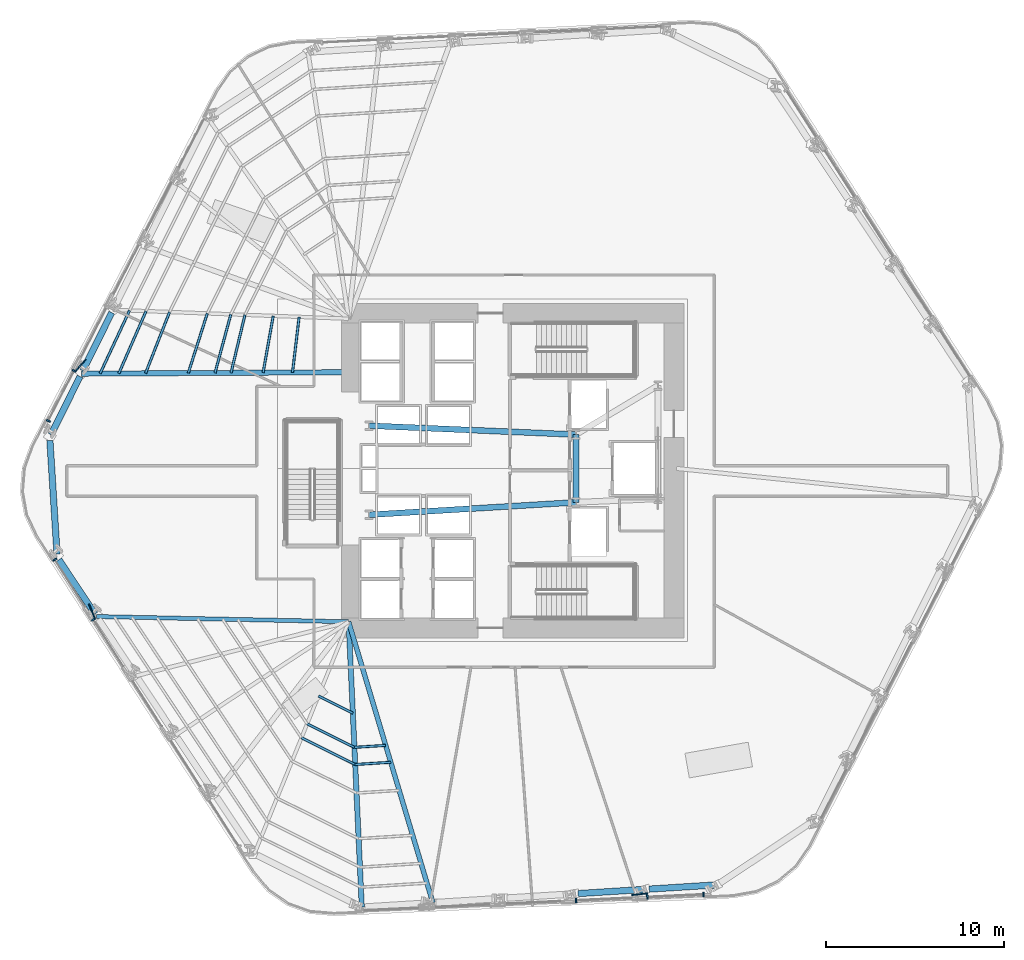
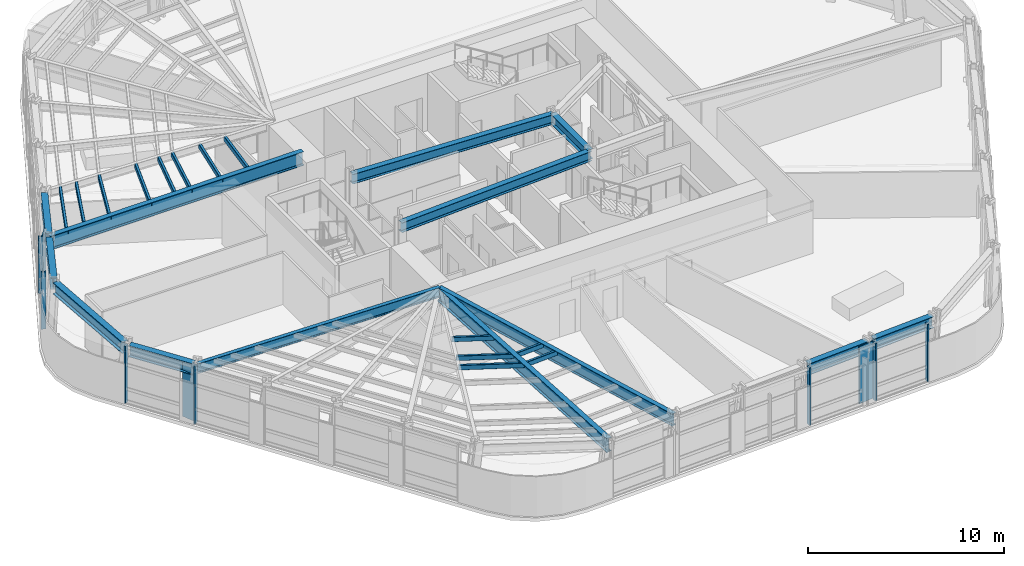
# One storey, part 3 of 15: 23 members, 13 beams, 3 elements without a shape of their own.
"""IFC4 building model written with IfcOpenShell, lengths in metres."""

from ifc_helpers import new_model, si_unit, direction, frame, origin, origin_2d, place, context, subcontext, project, spatial, rectangle, hollow_rectangle, i_section, extrude, material, layer, layer_set, material_profile, profile_set, type_object, element, aggregate, save


model = new_model("IFC4")

# Units and contexts
model_context = context("Model", 3, precision=1e-05, world=origin(), true_north=direction((0.0, 1.0)))
body_context = subcontext(model_context, "Body", "Model", "MODEL_VIEW")
ifc_project = project(units=[si_unit("LENGTHUNIT", "METRE"), si_unit("AREAUNIT", "SQUARE_METRE"), si_unit("VOLUMEUNIT", "CUBIC_METRE"), si_unit("PLANEANGLEUNIT", "RADIAN"), si_unit("MASSUNIT", "GRAM", prefix="KILO")], contexts=[model_context])

# Site, building, storey
site_placement = place(None, origin())
site = spatial("IfcSite", under=ifc_project, at=site_placement, CompositionType="ELEMENT")
building_placement = place(site_placement, origin())
building = spatial("IfcBuilding", under=site, at=building_placement, Name="Valkerne Bourse Tower", CompositionType="ELEMENT")
storey_placement = place(building_placement, frame((0.0, 0.0, 35.39990234375)))
storey = spatial("IfcBuildingStorey", under=building, at=storey_placement, Name="L08", CompositionType="ELEMENT", Elevation=35.39990234375)

# Beams
ifc_material_1 = material(Name="Steel ASTM A992", Category="steel")
ifc_material_profile_1 = material_profile(ifc_material_1, i_section(OverallWidth=0.3251953125, OverallDepth=0.612060546875, WebThickness=0.0126953125, FlangeThickness=0.01904296875, FilletRadius=0.020263671875, at=origin_2d()), Name="W24X104")
ifc_profile_set_1 = profile_set([ifc_material_profile_1], Name="Steel ASTM A992")
beam_type_1 = type_object("IfcBeamType", Name="BM-W24X104", PredefinedType="BEAM", material=ifc_profile_set_1)
beam_1_placement = place(storey_placement, frame((50.35009765625, 25.10009765625, 3.27392578125), z_axis=(0.0, 1.0, 0.0), x_axis=(-1.0, 0.0, 0.0)))
element("IfcBeam", 1, at=beam_1_placement, inside=storey, type_object=beam_type_1, Name="L08 Core Frame Girder CG-CE", PredefinedType="BEAM", context=body_context, shape_type="SweptSolid", body=[
    extrude(i_section(OverallWidth=0.3251953125, OverallDepth=0.612060546875, WebThickness=0.0126953125, FlangeThickness=0.01904296875, FilletRadius=0.020263671875, at=origin_2d()), origin(), (0.0, 0.0, 1.0), 3.7998046875),
])
beam_2_placement = place(storey_placement, frame((38.75, 24.39990234375, 3.27392578125), z_axis=(0.998183228389, 0.060251494276, 0.0), x_axis=(-0.060251494276, 0.998183228389, 0.0)))
element("IfcBeam", 2, at=beam_2_placement, inside=storey, type_object=beam_type_1, Name="L08 Core Frame Girder CG-SW", PredefinedType="BEAM", context=body_context, shape_type="SweptSolid", body=[
    extrude(i_section(OverallWidth=0.3251953125, OverallDepth=0.612060546875, WebThickness=0.0126953125, FlangeThickness=0.01904296875, FilletRadius=0.020263671875, at=origin_2d()), origin(), (0.0, 0.0, 1.0), 11.62109375),
])
beam_3_placement = place(storey_placement, frame((38.75, 29.39990234375, 3.27392578125), z_axis=(0.999072354402, -0.043063101019, 0.0), x_axis=(0.043063101019, 0.999072354402, 0.0)))
element("IfcBeam", 3, at=beam_3_placement, inside=storey, type_object=beam_type_1, Name="L08 Core Frame Girder CG-NW", PredefinedType="BEAM", context=body_context, shape_type="SweptSolid", body=[
    extrude(i_section(OverallWidth=0.3251953125, OverallDepth=0.612060546875, WebThickness=0.0126953125, FlangeThickness=0.01904296875, FilletRadius=0.020263671875, at=origin_2d()), origin(), (0.0, 0.0, 1.0), 11.61083984375),
])
ifc_material_profile_2 = material_profile(ifc_material_1, i_section(OverallWidth=0.228271484375, OverallDepth=0.607177734375, WebThickness=0.01123046875, FlangeThickness=0.017333984375, FilletRadius=0.017822265625, at=origin_2d()), Name="W24X76")
ifc_profile_set_2 = profile_set([ifc_material_profile_2], Name="Steel ASTM A992")
beam_type_2 = type_object("IfcBeamType", Name="BM-W24X76", PredefinedType="JOIST", material=ifc_profile_set_2)
beam_4_placement = place(storey_placement, frame((23.466064453125, 18.693359375, 3.276611328125), z_axis=(0.999784530182, -0.020757967376, 0.0), x_axis=(0.020757967376, 0.999784530182, 0.0)))
element("IfcBeam", 4, at=beam_4_placement, inside=storey, type_object=beam_type_2, Name="L08 Radial Composite Floor Beam 19", PredefinedType="JOIST", context=body_context, shape_type="SweptSolid", body=[
    extrude(i_section(OverallWidth=0.228271484375, OverallDepth=0.607177734375, WebThickness=0.01123046875, FlangeThickness=0.017333984375, FilletRadius=0.017822265625, at=origin_2d()), origin(), (0.0, 0.0, 1.0), 14.136962890625),
])
ifc_material_profile_3 = material_profile(ifc_material_1, i_section(OverallWidth=0.358154296875, OverallDepth=0.7060546875, WebThickness=0.018310546875, FlangeThickness=0.0302734375, FilletRadius=0.02294921875, at=origin_2d()), Name="W27X178")
ifc_profile_set_3 = profile_set([ifc_material_profile_3], Name="Steel ASTM A992")
beam_type_3 = type_object("IfcBeamType", Name="BM-W27X178", PredefinedType="SPANDREL", material=ifc_profile_set_3)
for number, where, z_axis, x_axis, name in (
    (5, (24.31005859375, 35.74365234375, 3.22705078125), (-0.444620658379, -0.895718968284, 0.0), (0.895718968284, -0.444620658379, 0.0), "L08 Hexagonal Spandrel Ring Beam 15"),
    (6, (22.533203125, 32.164306640625, 3.22705078125), (-0.444620658379, -0.895718968284, 0.0), (0.895718968284, -0.444620658379, 0.0), "L08 Hexagonal Spandrel Ring Beam 16"),
):
    element("IfcBeam", number, at=place(storey_placement, frame(where, z_axis=z_axis, x_axis=x_axis)), inside=storey, type_object=beam_type_3, Name=name, PredefinedType="SPANDREL", context=body_context, shape_type="SweptSolid", body=[
        extrude(i_section(OverallWidth=0.358154296875, OverallDepth=0.7060546875, WebThickness=0.018310546875, FlangeThickness=0.0302734375, FilletRadius=0.02294921875, at=origin_2d()), origin(), (0.0, 0.0, 1.0), 3.656005859375),
    ])
beam_5_placement = place(storey_placement, frame((20.843017578125, 28.567626953125, 3.22705078125), z_axis=(0.062747037503, -0.998029463135, 0.0), x_axis=(0.998029463135, 0.062747037503, 0.0)))
element("IfcBeam", 7, at=beam_5_placement, inside=storey, type_object=beam_type_3, Name="L08 Hexagonal Spandrel Ring Beam 17", PredefinedType="SPANDREL", context=body_context, shape_type="SweptSolid", body=[
    extrude(i_section(OverallWidth=0.358154296875, OverallDepth=0.7060546875, WebThickness=0.018310546875, FlangeThickness=0.0302734375, FilletRadius=0.02294921875, at=origin_2d()), origin(), (0.0, 0.0, 1.0), 6.388916015625),
])
beam_6_placement = place(storey_placement, frame((21.348876953125, 21.880126953125, 3.22705078125), z_axis=(0.553343301386, -0.832953294496, 0.0), x_axis=(0.832953294496, 0.553343301386, 0.0)))
element("IfcBeam", 8, at=beam_6_placement, inside=storey, type_object=beam_type_3, Name="L08 Hexagonal Spandrel Ring Beam 18", PredefinedType="SPANDREL", context=body_context, shape_type="SweptSolid", body=[
    extrude(i_section(OverallWidth=0.358154296875, OverallDepth=0.7060546875, WebThickness=0.018310546875, FlangeThickness=0.0302734375, FilletRadius=0.02294921875, at=origin_2d()), origin(), (0.0, 0.0, 1.0), 3.65576171875),
])
for number, where, z_axis, x_axis, name in (
    (9, (50.472900390625, 3.1513671875, 3.22705078125), (0.998027815101, 0.062773244978, 0.0), (-0.062773244978, 0.998027815101, 0.0), "L08 Hexagonal Spandrel Ring Beam 27"),
    (10, (54.4609375, 3.40234375, 3.22705078125), (0.998027815101, 0.062773244978, 0.0), (-0.062773244978, 0.998027815101, 0.0), "L08 Hexagonal Spandrel Ring Beam 28"),
):
    element("IfcBeam", number, at=place(storey_placement, frame(where, z_axis=z_axis, x_axis=x_axis)), inside=storey, type_object=beam_type_3, Name=name, PredefinedType="SPANDREL", context=body_context, shape_type="SweptSolid", body=[
        extrude(i_section(OverallWidth=0.358154296875, OverallDepth=0.7060546875, WebThickness=0.018310546875, FlangeThickness=0.0302734375, FilletRadius=0.02294921875, at=origin_2d()), origin(), (0.0, 0.0, 1.0), 3.656005859375),
    ])
ifc_material_profile_4 = material_profile(ifc_material_1, i_section(OverallWidth=0.26806640625, OverallDepth=0.76953125, WebThickness=0.015625, FlangeThickness=0.025390625, FilletRadius=0.025390625, at=origin_2d()), Name="W30X132")
ifc_profile_set_4 = profile_set([ifc_material_profile_4], Name="Steel ASTM A992")
beam_type_4 = type_object("IfcBeamType", Name="BM-W30X132", PredefinedType="BEAM", material=ifc_profile_set_4)
beam_7_placement = place(storey_placement, frame((42.326904296875, 2.638916015625, 3.1953125), z_axis=(-0.287264850089, 0.957851191941, 0.0), x_axis=(-0.957851191941, -0.287264850089, 0.0)))
element("IfcBeam", 11, at=beam_7_placement, inside=storey, type_object=beam_type_4, Name="L08 Radial Composite Floor Beam 25", PredefinedType="BEAM", context=body_context, shape_type="SweptSolid", body=[
    extrude(i_section(OverallWidth=0.26806640625, OverallDepth=0.76953125, WebThickness=0.015625, FlangeThickness=0.025390625, FilletRadius=0.025390625, at=origin_2d()), origin(), (0.0, 0.0, 1.0), 16.45458984375),
])
ifc_material_profile_5 = material_profile(ifc_material_1, i_section(OverallWidth=0.2919921875, OverallDepth=0.8583984375, WebThickness=0.01708984375, FlangeThickness=0.031005859375, FilletRadius=0.025390625, at=origin_2d()), Name="W33X169")
ifc_profile_set_5 = profile_set([ifc_material_profile_5], Name="Steel ASTM A992")
beam_type_5 = type_object("IfcBeamType", Name="BM-W33X169", PredefinedType="BEAM", material=ifc_profile_set_5)
beam_8_placement = place(storey_placement, frame((22.60888671875, 32.316650390625, 3.15087890625), z_axis=(0.999984580319, 0.005553298513, 0.0), x_axis=(-0.005553298513, 0.999984580319, 0.0)))
element("IfcBeam", 12, at=beam_8_placement, inside=storey, type_object=beam_type_5, Name="L08 Radial Composite Floor Beam 16", PredefinedType="BEAM", context=body_context, shape_type="SweptSolid", body=[
    extrude(i_section(OverallWidth=0.2919921875, OverallDepth=0.8583984375, WebThickness=0.01708984375, FlangeThickness=0.031005859375, FilletRadius=0.025390625, at=origin_2d()), origin(), (0.0, 0.0, 1.0), 14.991455078125),
])
beam_9_placement = place(storey_placement, frame((38.338623046875, 2.387939453125, 3.15087890625), z_axis=(-0.046074368947, 0.998938012354, 0.0), x_axis=(-0.998938012354, -0.046074368947, 0.0)))
element("IfcBeam", 13, at=beam_9_placement, inside=storey, type_object=beam_type_5, Name="L08 Radial Composite Floor Beam 24", PredefinedType="BEAM", context=body_context, shape_type="SweptSolid", body=[
    extrude(i_section(OverallWidth=0.2919921875, OverallDepth=0.8583984375, WebThickness=0.01708984375, FlangeThickness=0.031005859375, FilletRadius=0.025390625, at=origin_2d()), origin(), (0.0, 0.0, 1.0), 16.029052734375),
])

# Curtain wall, members
ifc_material_2 = material(Name="Aluminium AA 6063-T6", Category="aluminium")
ifc_layer = layer(ifc_material_2, 0.22509765625)
ifc_layer_set = layer_set([ifc_layer], Name="Aluminium AA 6063-T6")
curtain_wall_type = type_object("IfcCurtainWallType", Name="CW-01", PredefinedType="NOTDEFINED", material=ifc_layer_set)
curtain_wall_1_placement = place(storey_placement, origin())
curtain_wall_1 = element("IfcCurtainWall", 14, at=curtain_wall_1_placement, inside=storey, type_object=curtain_wall_type, Name="L08 Hexagonal Stick Curtain Wall Face 3", PredefinedType="NOTDEFINED")
ifc_material_profile_6 = material_profile(ifc_material_2, rectangle(XDim=0.090087890625, YDim=0.239990234375, at=origin_2d()), Name="CWM-90X240")
ifc_profile_set_6 = profile_set([ifc_material_profile_6], Name="Aluminium AA 6063-T6")
member_type_1 = type_object("IfcMemberType", Name="CW-MUL-240X90", PredefinedType="MULLION", material=ifc_profile_set_6)
member_1_placement = place(storey_placement, frame((22.20068359375, 32.478759765625, 0.0), z_axis=(0.0, 0.0, 1.0), x_axis=(-0.458638457578, -0.888622960108, 0.0)))
member_1 = element("IfcMember", 15, at=member_1_placement, type_object=member_type_1, Name="CW-L08-F3 Jamb Mullion 04A", PredefinedType="MULLION", context=body_context, shape_type="SweptSolid", body=[
    extrude(rectangle(XDim=0.090087890625, YDim=0.239990234375, at=origin_2d()), origin(), (0.0, 0.0, 1.0), 3.580078125),
])
member_2_placement = place(storey_placement, frame((20.753173828125, 29.67431640625, 0.0), z_axis=(0.0, 0.0, 1.0), x_axis=(-0.458638457578, -0.888622960108, 0.0)))
member_2 = element("IfcMember", 16, at=member_2_placement, type_object=member_type_1, Name="CW-L08-F3 Jamb Mullion 04B", PredefinedType="MULLION", context=body_context, shape_type="SweptSolid", body=[
    extrude(rectangle(XDim=0.090087890625, YDim=0.239990234375, at=origin_2d()), origin(), (0.0, 0.0, 1.0), 3.580078125),
])
aggregate(curtain_wall_1, [member_1, member_2])

curtain_wall_2_placement = place(storey_placement, origin())
curtain_wall_2 = element("IfcCurtainWall", 17, at=curtain_wall_2_placement, inside=storey, type_object=curtain_wall_type, Name="L08 Hexagonal Stick Curtain Wall Face 4", PredefinedType="NOTDEFINED")
member_3_placement = place(storey_placement, frame((21.120361328125, 21.886474609375, 0.0), z_axis=(0.0, 0.0, 1.0), x_axis=(0.540237656625, -0.841512492102, 0.0)))
member_3 = element("IfcMember", 18, at=member_3_placement, type_object=member_type_1, Name="CW-L08-F4 Jamb Mullion 00A", PredefinedType="MULLION", context=body_context, shape_type="SweptSolid", body=[
    extrude(rectangle(XDim=0.090087890625, YDim=0.239990234375, at=origin_2d()), origin(), (0.0, 0.0, 1.0), 3.580078125),
])
member_4_placement = place(storey_placement, frame((23.279296875, 18.523681640625, 0.0), z_axis=(0.0, 0.0, 1.0), x_axis=(0.540249033561, -0.841505188181, 0.0)))
member_4 = element("IfcMember", 19, at=member_4_placement, type_object=member_type_1, Name="CW-L08-F4 Jamb Mullion 01A", PredefinedType="MULLION", context=body_context, shape_type="SweptSolid", body=[
    extrude(rectangle(XDim=0.090087890625, YDim=0.239990234375, at=origin_2d()), origin(), (0.0, 0.0, 1.0), 3.580078125),
])
aggregate(curtain_wall_2, [member_3, member_4])

curtain_wall_3_placement = place(storey_placement, origin())
curtain_wall_3 = element("IfcCurtainWall", 20, at=curtain_wall_3_placement, inside=storey, type_object=curtain_wall_type, Name="L08 Hexagonal Stick Curtain Wall Face 5", PredefinedType="NOTDEFINED")
member_5_placement = place(storey_placement, frame((50.36328125, 2.768798828125, 0.0), z_axis=(0.0, 0.0, 1.0), x_axis=(0.998890279552, 0.047097870623, 0.0)))
member_5 = element("IfcMember", 21, at=member_5_placement, type_object=member_type_1, Name="CW-L08-F5 Jamb Mullion 03A", PredefinedType="MULLION", context=body_context, shape_type="SweptSolid", body=[
    extrude(rectangle(XDim=0.090087890625, YDim=0.239990234375, at=origin_2d()), origin(), (0.0, 0.0, 1.0), 3.580078125),
])
member_6_placement = place(storey_placement, frame((54.35498046875, 2.95703125, 0.0), z_axis=(0.0, 0.0, 1.0), x_axis=(0.998889157472, 0.047121662581, 0.0)))
member_6 = element("IfcMember", 22, at=member_6_placement, type_object=member_type_1, Name="CW-L08-F5 Jamb Mullion 04A", PredefinedType="MULLION", context=body_context, shape_type="SweptSolid", body=[
    extrude(rectangle(XDim=0.090087890625, YDim=0.239990234375, at=origin_2d()), origin(), (0.0, 0.0, 1.0), 3.580078125),
])
member_7_placement = place(storey_placement, frame((57.507568359375, 3.105712890625, 0.0), z_axis=(0.0, 0.0, 1.0), x_axis=(0.998889157472, 0.047121662581, 0.0)))
member_7 = element("IfcMember", 23, at=member_7_placement, type_object=member_type_1, Name="CW-L08-F5 Jamb Mullion 04B", PredefinedType="MULLION", context=body_context, shape_type="SweptSolid", body=[
    extrude(rectangle(XDim=0.090087890625, YDim=0.239990234375, at=origin_2d()), origin(), (0.0, 0.0, 1.0), 3.580078125),
])
aggregate(curtain_wall_3, [member_5, member_6, member_7])

# Members
ifc_material_3 = material(Name="Bronze Anodised Aluminium AA 6063-T6", Category="aluminium")
ifc_material_profile_7 = material_profile(ifc_material_3, rectangle(XDim=0.070068359375, YDim=0.89990234375, at=origin_2d()), Name="FIN-70X900")
ifc_profile_set_7 = profile_set([ifc_material_profile_7], Name="Bronze Anodised Aluminium AA 6063-T6")
member_type_2 = type_object("IfcMemberType", Name="FIN-SOLAR-900", PredefinedType="USERDEFINED", material=ifc_profile_set_7)
for number, where, z_axis, x_axis, name in (
    (24, (22.55322265625, 32.769287109375, 0.004150390625), (0.0, 0.0, 1.0), (-0.756959307704, 0.653462016097, 0.0), "L08 Bronze Anodised Solar Fin F3-04"),
    (25, (23.203857421875, 18.974365234375, 0.004150390625), (0.0, 0.0, 1.0), (-0.922204328932, -0.386702955379, 0.0), "L08 Bronze Anodised Solar Fin F4-01"),
    (26, (53.927001953125, 3.116943359375, 0.004150390625), (0.0, 0.0, 1.0), (0.108930894367, -0.994049324859, 0.0), "L08 Bronze Anodised Solar Fin F5-04"),
):
    element("IfcMember", number, at=place(storey_placement, frame(where, z_axis=z_axis, x_axis=x_axis)), inside=storey, type_object=member_type_2, Name=name, ObjectType="SOLAR_FIN", PredefinedType="USERDEFINED", context=body_context, shape_type="SweptSolid", body=[
        extrude(rectangle(XDim=0.070068359375, YDim=0.89990234375, at=origin_2d()), origin(), (0.0, 0.0, 1.0), 3.572021484375),
    ])
ifc_material_4 = material(Name="Steel ASTM A500 Grade C", Category="steel")
ifc_material_profile_8 = material_profile(ifc_material_4, hollow_rectangle(XDim=0.14990234375, YDim=0.300048828125, WallThickness=0.012451171875, OuterFilletRadius=0.02490234375, at=origin_2d()), Name="HSS300X150X12.5")
ifc_profile_set_8 = profile_set([ifc_material_profile_8], Name="Steel ASTM A500 Grade C")
member_type_3 = type_object("IfcMemberType", Name="MBR-HSS300X150X12.5", PredefinedType="PURLIN", material=ifc_profile_set_8)
member_8_placement = place(storey_placement, frame((33.371337890625, 35.55859375, 3.420166015625), z_axis=(-0.175730574027, -0.984438299413, 0.0), x_axis=(0.984438299413, -0.175730574027, 0.0)))
element("IfcMember", 27, at=member_8_placement, inside=storey, type_object=member_type_3, Name="L08 Secondary Composite Floor Purlin I-15", PredefinedType="PURLIN", context=body_context, shape_type="SweptSolid", body=[
    extrude(hollow_rectangle(XDim=0.14990234375, YDim=0.300048828125, WallThickness=0.012451171875, OuterFilletRadius=0.02490234375, at=origin_2d()), origin(), (0.0, 0.0, 1.0), 3.235595703125),
])
member_9_placement = place(storey_placement, frame((35.90771484375, 14.233642578125, 3.420166015625), z_axis=(0.895693429174, -0.444672104965, 0.0), x_axis=(0.444672104965, 0.895693429174, 0.0)))
element("IfcMember", 28, at=member_9_placement, inside=storey, type_object=member_type_3, Name="L08 Secondary Composite Floor Purlin I-23", PredefinedType="PURLIN", context=body_context, shape_type="SweptSolid", body=[
    extrude(hollow_rectangle(XDim=0.14990234375, YDim=0.300048828125, WallThickness=0.012451171875, OuterFilletRadius=0.02490234375, at=origin_2d()), origin(), (0.0, 0.0, 1.0), 2.1533203125),
])
member_10_placement = place(storey_placement, frame((31.78564453125, 35.6181640625, 3.420166015625), z_axis=(-0.233532939509, -0.972348891172, 0.0), x_axis=(0.972348891172, -0.233532939509, 0.0)))
element("IfcMember", 29, at=member_10_placement, inside=storey, type_object=member_type_3, Name="L08 Secondary Composite Floor Purlin K-15", PredefinedType="PURLIN", context=body_context, shape_type="SweptSolid", body=[
    extrude(hollow_rectangle(XDim=0.14990234375, YDim=0.300048828125, WallThickness=0.012451171875, OuterFilletRadius=0.02490234375, at=origin_2d()), origin(), (0.0, 0.0, 1.0), 3.347412109375),
])
member_11_placement = place(storey_placement, frame((35.27294921875, 12.671142578125, 3.420166015625), z_axis=(0.895726210175, -0.44460606879, 0.0), x_axis=(0.44460606879, 0.895726210175, 0.0)))
element("IfcMember", 30, at=member_11_placement, inside=storey, type_object=member_type_3, Name="L08 Secondary Composite Floor Purlin K-23", PredefinedType="PURLIN", context=body_context, shape_type="SweptSolid", body=[
    extrude(hollow_rectangle(XDim=0.14990234375, YDim=0.300048828125, WallThickness=0.012451171875, OuterFilletRadius=0.02490234375, at=origin_2d()), origin(), (0.0, 0.0, 1.0), 2.9609375),
])
member_12_placement = place(storey_placement, frame((37.925048828125, 11.354736328125, 3.420166015625), z_axis=(0.998028187643, 0.062767321666, 0.0), x_axis=(-0.062767321666, 0.998028187643, 0.0)))
element("IfcMember", 31, at=member_12_placement, inside=storey, type_object=member_type_3, Name="L08 Secondary Composite Floor Purlin K-24", PredefinedType="PURLIN", context=body_context, shape_type="SweptSolid", body=[
    extrude(hollow_rectangle(XDim=0.14990234375, YDim=0.300048828125, WallThickness=0.012451171875, OuterFilletRadius=0.02490234375, at=origin_2d()), origin(), (0.0, 0.0, 1.0), 1.758056640625),
])
member_13_placement = place(storey_placement, frame((30.992919921875, 35.64794921875, 3.420166015625), z_axis=(-0.260733968795, -0.965410688524, 0.0), x_axis=(0.965410688524, -0.260733968795, 0.0)))
element("IfcMember", 32, at=member_13_placement, inside=storey, type_object=member_type_3, Name="L08 Secondary Composite Floor Purlin M-15", PredefinedType="PURLIN", context=body_context, shape_type="SweptSolid", body=[
    extrude(hollow_rectangle(XDim=0.14990234375, YDim=0.300048828125, WallThickness=0.012451171875, OuterFilletRadius=0.02490234375, at=origin_2d()), origin(), (0.0, 0.0, 1.0), 3.407470703125),
])
member_14_placement = place(storey_placement, frame((34.955810546875, 11.889892578125, 3.420166015625), z_axis=(0.895729527478, -0.44459938552, 0.0), x_axis=(0.44459938552, 0.895729527478, 0.0)))
element("IfcMember", 33, at=member_14_placement, inside=storey, type_object=member_type_3, Name="L08 Secondary Composite Floor Purlin M-23", PredefinedType="PURLIN", context=body_context, shape_type="SweptSolid", body=[
    extrude(hollow_rectangle(XDim=0.14990234375, YDim=0.300048828125, WallThickness=0.012451171875, OuterFilletRadius=0.02490234375, at=origin_2d()), origin(), (0.0, 0.0, 1.0), 3.364501953125),
])
member_15_placement = place(storey_placement, frame((37.969482421875, 10.39404296875, 3.420166015625), z_axis=(0.998033034296, 0.062690210187, 0.0), x_axis=(-0.062690210187, 0.998033034296, 0.0)))
element("IfcMember", 34, at=member_15_placement, inside=storey, type_object=member_type_3, Name="L08 Secondary Composite Floor Purlin M-24", PredefinedType="PURLIN", context=body_context, shape_type="SweptSolid", body=[
    extrude(hollow_rectangle(XDim=0.14990234375, YDim=0.300048828125, WallThickness=0.012451171875, OuterFilletRadius=0.02490234375, at=origin_2d()), origin(), (0.0, 0.0, 1.0), 1.997802734375),
])
member_16_placement = place(storey_placement, frame((27.55712890625, 35.77685546875, 3.420166015625), z_axis=(-0.365380523421, -0.93085824544, 0.0), x_axis=(0.93085824544, -0.365380523421, 0.0)))
element("IfcMember", 35, at=member_16_placement, inside=storey, type_object=member_type_3, Name="L08 Secondary Composite Floor Purlin O-15", PredefinedType="PURLIN", context=body_context, shape_type="SweptSolid", body=[
    extrude(hollow_rectangle(XDim=0.14990234375, YDim=0.300048828125, WallThickness=0.012451171875, OuterFilletRadius=0.02490234375, at=origin_2d()), origin(), (0.0, 0.0, 1.0), 3.69580078125),
])
member_17_placement = place(storey_placement, frame((29.67138671875, 35.697509765625, 3.420166015625), z_axis=(-0.303481882571, -0.952837209051, 0.0), x_axis=(0.952837209051, -0.303481882571, 0.0)))
element("IfcMember", 36, at=member_17_placement, inside=storey, type_object=member_type_3, Name="L08 Secondary Composite Floor Purlin Z-15", PredefinedType="PURLIN", context=body_context, shape_type="SweptSolid", body=[
    extrude(hollow_rectangle(XDim=0.14990234375, YDim=0.300048828125, WallThickness=0.012451171875, OuterFilletRadius=0.02490234375, at=origin_2d()), origin(), (0.0, 0.0, 1.0), 3.51318359375),
])
member_18_placement = place(storey_placement, frame((34.824951171875, 35.504150390625, 3.420166015625), z_axis=(-0.118661375283, -0.992934780344, 0.0), x_axis=(0.992934780344, -0.118661375283, 0.0)))
element("IfcMember", 37, at=member_18_placement, inside=storey, type_object=member_type_3, Name="L08 Secondary Composite Floor Purlin S-15", PredefinedType="PURLIN", context=body_context, shape_type="SweptSolid", body=[
    extrude(hollow_rectangle(XDim=0.14990234375, YDim=0.300048828125, WallThickness=0.012451171875, OuterFilletRadius=0.02490234375, at=origin_2d()), origin(), (0.0, 0.0, 1.0), 3.143798828125),
])
member_19_placement = place(storey_placement, frame((26.235595703125, 35.826416015625, 3.420166015625), z_axis=(-0.400255080629, -0.916403770415, 0.0), x_axis=(0.916403770415, -0.400255080629, 0.0)))
element("IfcMember", 38, at=member_19_placement, inside=storey, type_object=member_type_3, Name="L08 Secondary Composite Floor Purlin T-15", PredefinedType="PURLIN", context=body_context, shape_type="SweptSolid", body=[
    extrude(hollow_rectangle(XDim=0.14990234375, YDim=0.300048828125, WallThickness=0.012451171875, OuterFilletRadius=0.02490234375, at=origin_2d()), origin(), (0.0, 0.0, 1.0), 3.817138671875),
])
member_20_placement = place(storey_placement, frame((25.310791015625, 35.861083984375, 3.420166015625), z_axis=(-0.423148959322, -0.906060129475, 0.0), x_axis=(0.906060129475, -0.423148959322, 0.0)))
element("IfcMember", 39, at=member_20_placement, inside=storey, type_object=member_type_3, Name="L08 Secondary Composite Floor Purlin U-15", PredefinedType="PURLIN", context=body_context, shape_type="SweptSolid", body=[
    extrude(hollow_rectangle(XDim=0.14990234375, YDim=0.300048828125, WallThickness=0.012451171875, OuterFilletRadius=0.02490234375, at=origin_2d()), origin(), (0.0, 0.0, 1.0), 3.905517578125),
])

save(model, "model.ifc")
